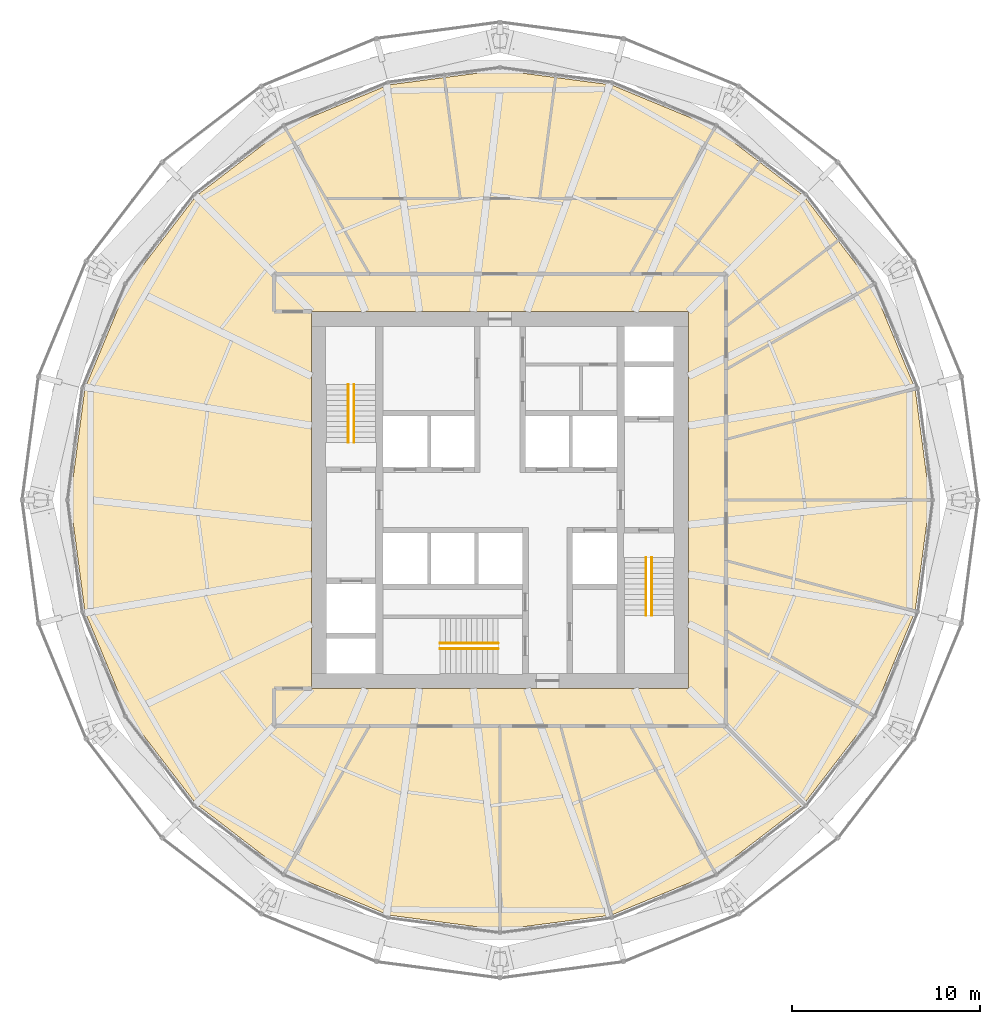
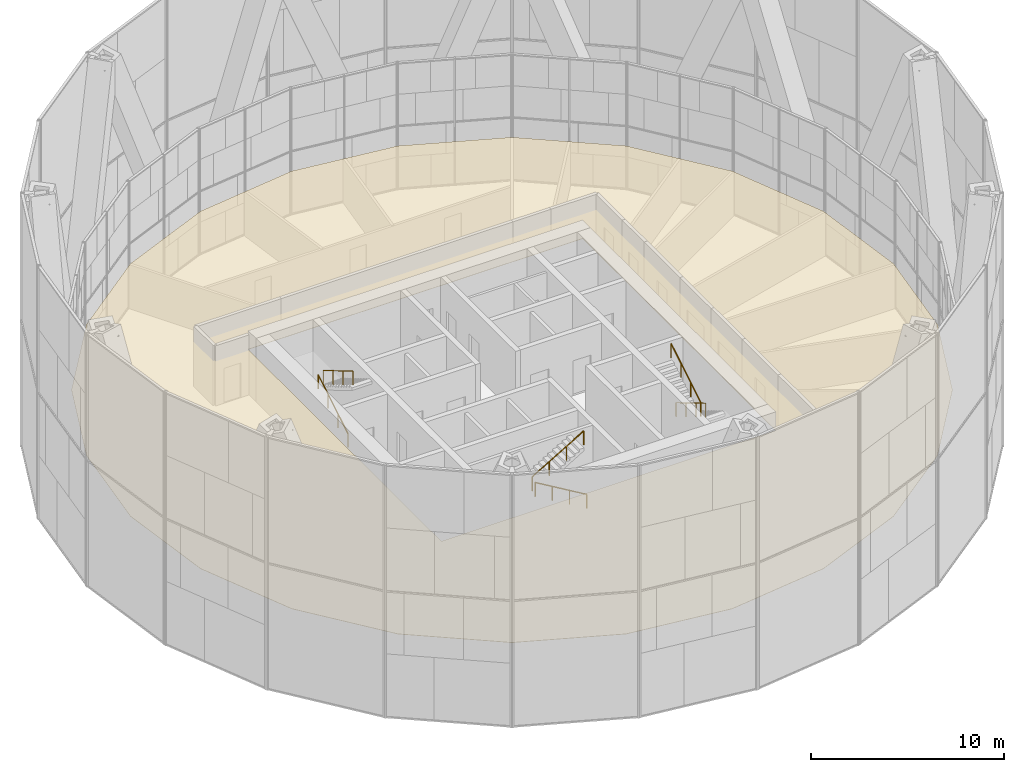
# One storey, part 22 of 22: 6 railings, 1 covering.
"""IFC4 building model written with IfcOpenShell, lengths in metres."""

from ifc_helpers import new_model, si_unit, direction, frame, origin, origin_2d, place, context, subcontext, project, spatial, polyline, circle, outline, extrude, material, layer, layer_set, type_object, element, save


model = new_model("IFC4")

# Units and contexts
model_context = context("Model", 3, precision=1e-05, world=origin(), true_north=direction((0.0, 1.0)))
body_context = subcontext(model_context, "Body", "Model", "MODEL_VIEW")
ifc_project = project(units=[si_unit("LENGTHUNIT", "METRE"), si_unit("AREAUNIT", "SQUARE_METRE"), si_unit("VOLUMEUNIT", "CUBIC_METRE"), si_unit("PLANEANGLEUNIT", "RADIAN"), si_unit("MASSUNIT", "GRAM", prefix="KILO")], contexts=[model_context])

# Site, building, storey
site_placement = place(None, origin())
site = spatial("IfcSite", under=ifc_project, at=site_placement, CompositionType="ELEMENT")
building_placement = place(site_placement, origin())
building = spatial("IfcBuilding", under=site, at=building_placement, Name="Golbaran Civic Tower", CompositionType="ELEMENT")
storey_placement = place(building_placement, frame((0.0, 0.0, 37.0)))
storey = spatial("IfcBuildingStorey", under=building, at=storey_placement, Name="L08", CompositionType="ELEMENT", Elevation=37.0)

# Railings
ifc_material_1 = material(Name="Stainless steel", Category="steel")
railing_type = type_object("IfcRailingType", Name="STAIR HANDRAIL 900", PredefinedType="HANDRAIL", material=ifc_material_1)
railing_1_placement = place(storey_placement, frame((-8.050048828125, 3.050048828125, 0.166748046875)))
element("IfcRailing", 1, at=railing_1_placement, inside=storey, type_object=railing_type, Name="Stair S1 handrail flight 1 L08", PredefinedType="HANDRAIL", context=body_context, shape_type="SweptSolid", body=[
    extrude(circle(Radius=0.02392578125, at=origin_2d()), frame((0.0, 0.0, 0.8759765625), z_axis=(0.0, 0.859290745958, 0.51148745235), x_axis=(-1.0, 0.0, 0.0)), (0.0, 0.0, 1.0), 3.584228515625),
    extrude(circle(Radius=0.02099609375, at=origin_2d()), origin(), (0.0, 0.0, 1.0), 0.851806640625),
    extrude(circle(Radius=0.02099609375, at=origin_2d()), frame((0.0, 1.026611328125, 0.611083984375)), (0.0, 0.0, 1.0), 0.851806640625),
    extrude(circle(Radius=0.02099609375, at=origin_2d()), frame((0.0, 2.05322265625, 1.22216796875)), (0.0, 0.0, 1.0), 0.851806640625),
    extrude(circle(Radius=0.02099609375, at=origin_2d()), frame((0.0, 3.079833984375, 1.833251953125)), (0.0, 0.0, 1.0), 0.851806640625),
])
for number, where, name in (
    (2, (-7.75, 6.1298828125, 2.166748046875), "Stair S1 handrail flight 2 L08"),
    (3, (8.050048828125, -3.050048828125, 0.166748046875), "Stair S2 handrail flight 1 L08"),
):
    element("IfcRailing", number, at=place(storey_placement, frame(where)), inside=storey, type_object=railing_type, Name=name, PredefinedType="HANDRAIL", context=body_context, shape_type="SweptSolid", body=[
        extrude(circle(Radius=0.02392578125, at=origin_2d()), frame((0.0, 0.0, 0.8759765625), z_axis=(0.0, -0.859290745958, 0.51148745235), x_axis=(1.0, 0.0, 0.0)), (0.0, 0.0, 1.0), 3.584228515625),
        extrude(circle(Radius=0.02099609375, at=origin_2d()), origin(), (0.0, 0.0, 1.0), 0.851806640625),
        extrude(circle(Radius=0.02099609375, at=origin_2d()), frame((0.0, -1.026611328125, 0.611083984375)), (0.0, 0.0, 1.0), 0.851806640625),
        extrude(circle(Radius=0.02099609375, at=origin_2d()), frame((0.0, -2.05322265625, 1.22216796875)), (0.0, 0.0, 1.0), 0.851806640625),
        extrude(circle(Radius=0.02099609375, at=origin_2d()), frame((0.0, -3.079833984375, 1.833251953125)), (0.0, 0.0, 1.0), 0.851806640625),
    ])
railing_2_placement = place(storey_placement, frame((7.75, -6.1298828125, 2.166748046875)))
element("IfcRailing", 4, at=railing_2_placement, inside=storey, type_object=railing_type, Name="Stair S2 handrail flight 2 L08", PredefinedType="HANDRAIL", context=body_context, shape_type="SweptSolid", body=[
    extrude(circle(Radius=0.02392578125, at=origin_2d()), frame((0.0, 0.0, 0.8759765625), z_axis=(0.0, 0.859290745958, 0.51148745235), x_axis=(-1.0, 0.0, 0.0)), (0.0, 0.0, 1.0), 3.584228515625),
    extrude(circle(Radius=0.02099609375, at=origin_2d()), origin(), (0.0, 0.0, 1.0), 0.851806640625),
    extrude(circle(Radius=0.02099609375, at=origin_2d()), frame((0.0, 1.026611328125, 0.611083984375)), (0.0, 0.0, 1.0), 0.851806640625),
    extrude(circle(Radius=0.02099609375, at=origin_2d()), frame((0.0, 2.05322265625, 1.22216796875)), (0.0, 0.0, 1.0), 0.851806640625),
    extrude(circle(Radius=0.02099609375, at=origin_2d()), frame((0.0, 3.079833984375, 1.833251953125)), (0.0, 0.0, 1.0), 0.851806640625),
])
railing_3_placement = place(storey_placement, frame((-0.10009765625, -7.89990234375, 0.166748046875)))
element("IfcRailing", 5, at=railing_3_placement, inside=storey, type_object=railing_type, Name="Stair S3 handrail flight 1 L08", PredefinedType="HANDRAIL", context=body_context, shape_type="SweptSolid", body=[
    extrude(circle(Radius=0.02392578125, at=origin_2d()), frame((0.0, 0.0, 0.8759765625), z_axis=(-0.859290745958, 0.0, 0.51148745235), x_axis=(0.0, -1.0, 0.0)), (0.0, 0.0, 1.0), 3.584228515625),
    extrude(circle(Radius=0.02099609375, at=origin_2d()), origin(), (0.0, 0.0, 1.0), 0.851806640625),
    extrude(circle(Radius=0.02099609375, at=origin_2d()), frame((-1.026611328125, 0.0, 0.611083984375)), (0.0, 0.0, 1.0), 0.851806640625),
    extrude(circle(Radius=0.02099609375, at=origin_2d()), frame((-2.05322265625, 0.0, 1.22216796875)), (0.0, 0.0, 1.0), 0.851806640625),
    extrude(circle(Radius=0.02099609375, at=origin_2d()), frame((-3.079833984375, 0.0, 1.833251953125)), (0.0, 0.0, 1.0), 0.851806640625),
])
railing_4_placement = place(storey_placement, frame((-3.179931640625, -7.60009765625, 2.166748046875)))
element("IfcRailing", 6, at=railing_4_placement, inside=storey, type_object=railing_type, Name="Stair S3 handrail flight 2 L08", PredefinedType="HANDRAIL", context=body_context, shape_type="SweptSolid", body=[
    extrude(circle(Radius=0.02392578125, at=origin_2d()), frame((0.0, 0.0, 0.8759765625), z_axis=(0.859290745958, 0.0, 0.51148745235), x_axis=(0.0, 1.0, 0.0)), (0.0, 0.0, 1.0), 3.584228515625),
    extrude(circle(Radius=0.02099609375, at=origin_2d()), origin(), (0.0, 0.0, 1.0), 0.851806640625),
    extrude(circle(Radius=0.02099609375, at=origin_2d()), frame((1.026611328125, 0.0, 0.611083984375)), (0.0, 0.0, 1.0), 0.851806640625),
    extrude(circle(Radius=0.02099609375, at=origin_2d()), frame((2.05322265625, 0.0, 1.22216796875)), (0.0, 0.0, 1.0), 0.851806640625),
    extrude(circle(Radius=0.02099609375, at=origin_2d()), frame((3.079833984375, 0.0, 1.833251953125)), (0.0, 0.0, 1.0), 0.851806640625),
])

# Covering
ifc_material_2 = material(Name="Mineral fibre tile on steel grid", Category="steel")
ifc_layer = layer(ifc_material_2, 0.02001953125, Name="Mineral fibre tile on steel grid")
ifc_layer_set = layer_set([ifc_layer], Name="Mineral fibre tile on steel grid")
covering_type = type_object("IfcCoveringType", Name="SUSPENDED CEILING 600 TILE 20", PredefinedType="CEILING", material=ifc_layer_set)
covering_placement = place(storey_placement, frame((0.0, 0.0, 2.800048828125)))
element("IfcCovering", 7, at=covering_placement, inside=storey, type_object=covering_type, Name="Suspended ceiling L08", PredefinedType="CEILING", context=body_context, shape_type="SweptSolid", body=[
    extrude(outline(polyline([(-22.03369140625, -5.90380859375), (-22.81103515625, 0.0), (-22.03369140625, 5.90380859375), (-19.7548828125, 11.405517578125), (-16.1298828125, 16.1298828125), (-11.405517578125, 19.7548828125), (-5.90380859375, 22.03369140625), (0.0, 22.81103515625), (5.90380859375, 22.03369140625), (11.405517578125, 19.7548828125), (13.88671875, 17.85107421875), (16.1298828125, 16.1298828125), (19.7548828125, 11.405517578125), (22.03369140625, 5.90380859375), (22.81103515625, 0.0), (22.03369140625, -5.90380859375), (19.7548828125, -11.405517578125), (16.1298828125, -16.1298828125), (11.405517578125, -19.7548828125), (5.90380859375, -22.03369140625), (0.0, -22.81103515625), (-5.90380859375, -22.03369140625), (-11.405517578125, -19.7548828125), (-16.1298828125, -16.1298828125), (-19.7548828125, -11.405517578125), (-22.03369140625, -5.90380859375)]), holes=[polyline([(10.0, -10.0), (10.0, 10.0), (-10.0, 10.0), (-10.0, -10.0), (10.0, -10.0)])]), origin(), (0.0, 0.0, 1.0), 0.02001953125),
])

save(model, "model.ifc")
